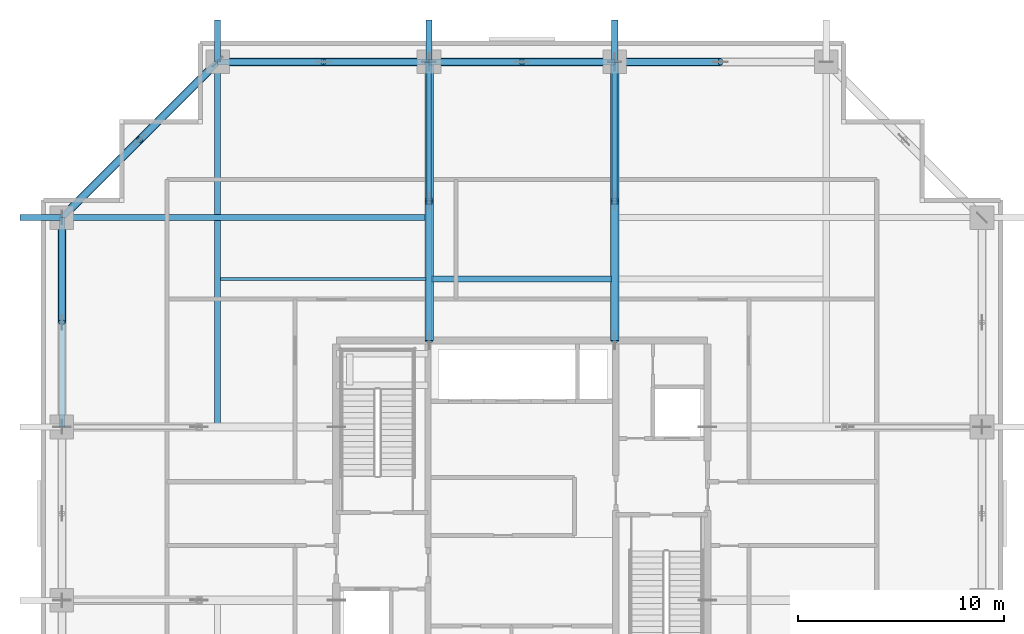
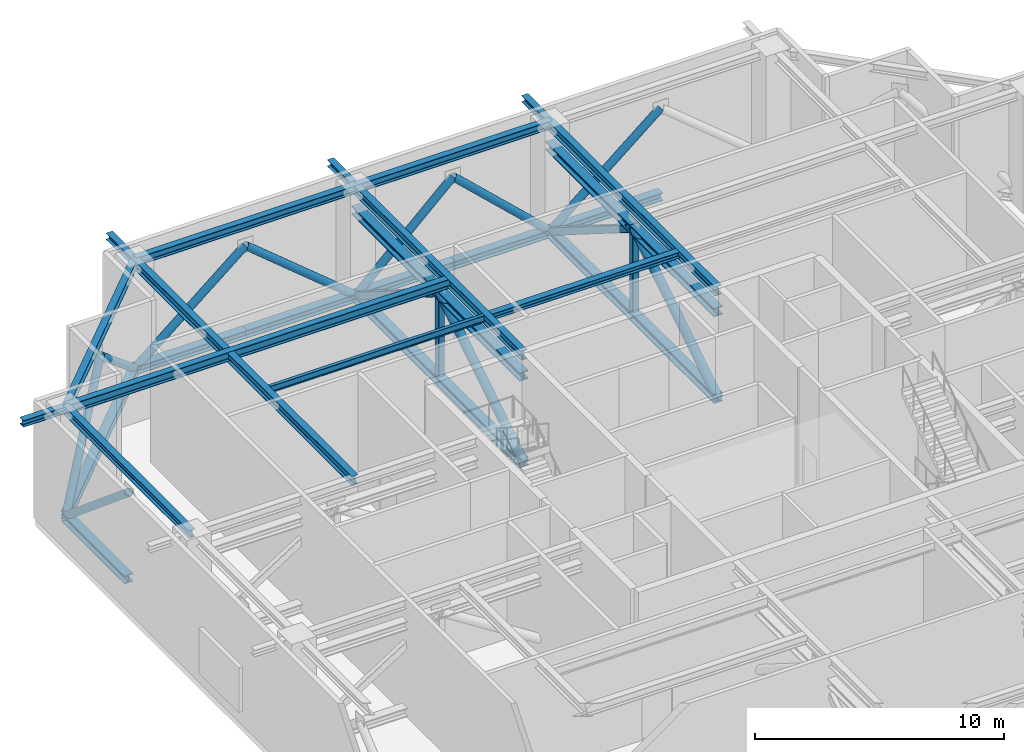
# One storey, part 5 of 22: 30 members, 14 beams.
"""IFC4 building model written with IfcOpenShell, lengths in metres."""

from ifc_helpers import new_model, si_unit, direction, frame, origin, origin_2d, place, context, subcontext, project, spatial, hollow_rectangle, hollow_circle, i_section, extrude, source, transform, mapped, material, material_profile, profile_set, type_object, element, save


model = new_model("IFC4")

# Units and contexts
model_context = context("Model", 3, precision=1e-05, world=origin(), true_north=direction((0.0, 1.0)))
body_context = subcontext(model_context, "Body", "Model", "MODEL_VIEW")
ifc_project = project(units=[si_unit("LENGTHUNIT", "METRE"), si_unit("AREAUNIT", "SQUARE_METRE"), si_unit("VOLUMEUNIT", "CUBIC_METRE"), si_unit("PLANEANGLEUNIT", "RADIAN"), si_unit("MASSUNIT", "GRAM", prefix="KILO")], contexts=[model_context])

# Site, building, storey
site_placement = place(None, origin())
site = spatial("IfcSite", under=ifc_project, at=site_placement, CompositionType="ELEMENT")
building_placement = place(site_placement, origin())
building = spatial("IfcBuilding", under=site, at=building_placement, Name="Serunith Strait Residences", CompositionType="ELEMENT")
storey_placement = place(building_placement, frame((0.0, 0.0, 287.449951171875)))
storey = spatial("IfcBuildingStorey", under=building, at=storey_placement, Name="L72", CompositionType="ELEMENT", Elevation=287.449951171875)

# Beams
ifc_material_1 = material(Name="Steel S355J2", Category="steel")
ifc_material_profile_1 = material_profile(ifc_material_1, i_section(OverallWidth=0.300048828125, OverallDepth=0.300048828125, WebThickness=0.010986328125, FlangeThickness=0.01904296875, FilletRadius=0.027099609375, at=origin_2d()), Name="HEB 300")
ifc_profile_set_1 = profile_set([ifc_material_profile_1], Name="Steel S355J2")
beam_type_1 = type_object("IfcBeamType", Name="BM-HEB300", PredefinedType="JOIST", material=ifc_profile_set_1)
shared_shape_1 = source(origin(), body_context, "Body", "SweptSolid", [
    extrude(i_section(OverallWidth=0.300048828125, OverallDepth=0.300048828125, WebThickness=0.010986328125, FlangeThickness=0.01904296875, FilletRadius=0.027099609375, at=origin_2d()), origin(), (0.0, 0.0, 1.0), 8.699951171875),
])
beam_1_placement = place(storey_placement, frame((28.050048828125, 36.574951171875, 5.587158203125), z_axis=(1.0, 0.0, 0.0), x_axis=(0.0, 1.0, 0.0)))
element("IfcBeam", 1, at=beam_1_placement, inside=storey, type_object=beam_type_1, Name="L72 Composite Floor Joist 05", PredefinedType="JOIST", context=body_context, shape_type="MappedRepresentation", body=[
    mapped(shared_shape_1, transform((0.0, 0.0, 0.0), scale=1.0)),
])
ifc_material_profile_2 = material_profile(ifc_material_1, i_section(OverallWidth=0.300048828125, OverallDepth=0.39990234375, WebThickness=0.013427734375, FlangeThickness=0.02392578125, FilletRadius=0.027099609375, at=origin_2d()), Name="HEB 400")
ifc_profile_set_2 = profile_set([ifc_material_profile_2], Name="Steel S355J2")
beam_type_2 = type_object("IfcBeamType", Name="BM-HEB400", PredefinedType="BEAM", material=ifc_profile_set_2)
shared_shape_2 = source(origin(), body_context, "Body", "SweptSolid", [
    extrude(i_section(OverallWidth=0.300048828125, OverallDepth=0.39990234375, WebThickness=0.013427734375, FlangeThickness=0.02392578125, FilletRadius=0.027099609375, at=origin_2d()), origin(), (0.0, 0.0, 1.0), 9.0),
])
beam_2_placement = place(storey_placement, frame((36.89990234375, 47.10009765625, 5.537109375), z_axis=(-1.0, 0.0, 0.0), x_axis=(0.0, -1.0, 0.0)))
element("IfcBeam", 2, at=beam_2_placement, inside=storey, type_object=beam_type_2, Name="L72 Perimeter Ring Beam 10", PredefinedType="BEAM", context=body_context, shape_type="MappedRepresentation", body=[
    mapped(shared_shape_2, transform((0.0, 0.0, 0.0), scale=1.0)),
])
ifc_material_profile_3 = material_profile(ifc_material_1, i_section(OverallWidth=0.300048828125, OverallDepth=0.320068359375, WebThickness=0.011474609375, FlangeThickness=0.0205078125, FilletRadius=0.027099609375, at=origin_2d()), Name="HEB 320")
ifc_profile_set_3 = profile_set([ifc_material_profile_3], Name="Steel S355J2")
beam_type_3 = type_object("IfcBeamType", Name="BM-HEB320", PredefinedType="BEAM", material=ifc_profile_set_3)
shared_shape_3 = source(origin(), body_context, "Body", "SweptSolid", [
    extrude(i_section(OverallWidth=0.300048828125, OverallDepth=0.320068359375, WebThickness=0.011474609375, FlangeThickness=0.0205078125, FilletRadius=0.027099609375, at=origin_2d()), origin(), (0.0, 0.0, 1.0), 2.030029296875),
])
beam_3_placement = place(storey_placement, frame((10.10009765625, 39.550048828125, 5.547119140625), z_axis=(-1.0, 0.0, 0.0), x_axis=(0.0, -1.0, 0.0)))
element("IfcBeam", 3, at=beam_3_placement, inside=storey, type_object=beam_type_3, Name="L73 Cantilevered Balcony Rib TC-W4", PredefinedType="BEAM", context=body_context, shape_type="MappedRepresentation", body=[
    mapped(shared_shape_3, transform((0.0, 0.0, 0.0), scale=1.0)),
])
ifc_material_profile_4 = material_profile(ifc_material_1, i_section(OverallWidth=0.300048828125, OverallDepth=0.449951171875, WebThickness=0.013916015625, FlangeThickness=0.02587890625, FilletRadius=0.027099609375, at=origin_2d()), Name="HEB 450")
ifc_profile_set_4 = profile_set([ifc_material_profile_4], Name="Steel S355J2")
beam_type_4 = type_object("IfcBeamType", Name="BM-HEB450", PredefinedType="BEAM", material=ifc_profile_set_4)
shared_shape_4 = source(origin(), body_context, "Body", "SweptSolid", [
    extrude(i_section(OverallWidth=0.300048828125, OverallDepth=0.449951171875, WebThickness=0.013916015625, FlangeThickness=0.02587890625, FilletRadius=0.027099609375, at=origin_2d()), origin(), (0.0, 0.0, 1.0), 13.5),
])
for number, where, z_axis, x_axis, name in (
    (4, (27.89990234375, 33.60009765625, 5.511962890625), (0.0, 1.0, 0.0), (-1.0, 0.0, 0.0), "L72 Primary Floor Girder TC-N2"),
    (5, (36.89990234375, 33.60009765625, 5.511962890625), (0.0, 1.0, 0.0), (-1.0, 0.0, 0.0), "L72 Primary Floor Girder TC-N3"),
):
    element("IfcBeam", number, at=place(storey_placement, frame(where, z_axis=z_axis, x_axis=x_axis)), inside=storey, type_object=beam_type_4, Name=name, PredefinedType="BEAM", context=body_context, shape_type="MappedRepresentation", body=[
        mapped(shared_shape_4, transform((0.0, 0.0, 0.0), scale=1.0)),
    ])
shared_shape_5 = source(origin(), body_context, "Body", "SweptSolid", [
    extrude(i_section(OverallWidth=0.300048828125, OverallDepth=0.449951171875, WebThickness=0.013916015625, FlangeThickness=0.02587890625, FilletRadius=0.027099609375, at=origin_2d()), origin(), (0.0, 0.0, 1.0), 17.7001953125),
])
beam_4_placement = place(storey_placement, frame((17.64990234375, 29.39990234375, 5.511962890625), z_axis=(0.0, 1.0, 0.0), x_axis=(-1.0, 0.0, 0.0)))
element("IfcBeam", 6, at=beam_4_placement, inside=storey, type_object=beam_type_4, Name="L72 Orthogonal Corner Girder TC-N1", PredefinedType="BEAM", context=body_context, shape_type="MappedRepresentation", body=[
    mapped(shared_shape_5, transform((0.0, 0.0, 0.0), scale=1.0)),
])
shared_shape_6 = source(origin(), body_context, "Body", "SweptSolid", [
    extrude(i_section(OverallWidth=0.300048828125, OverallDepth=0.449951171875, WebThickness=0.013916015625, FlangeThickness=0.02587890625, FilletRadius=0.027099609375, at=origin_2d()), origin(), (0.0, 0.0, 1.0), 17.7998046875),
])
beam_5_placement = place(storey_placement, frame((27.89990234375, 39.550048828125, 5.511962890625), z_axis=(-1.0, 0.0, 0.0), x_axis=(0.0, -1.0, 0.0)))
element("IfcBeam", 7, at=beam_5_placement, inside=storey, type_object=beam_type_4, Name="L72 Orthogonal Corner Girder TC-W4", PredefinedType="BEAM", context=body_context, shape_type="MappedRepresentation", body=[
    mapped(shared_shape_6, transform((0.0, 0.0, 0.0), scale=1.0)),
])
shared_shape_7 = source(origin(), body_context, "Body", "SweptSolid", [
    extrude(i_section(OverallWidth=0.300048828125, OverallDepth=0.39990234375, WebThickness=0.013427734375, FlangeThickness=0.02392578125, FilletRadius=0.027099609375, at=origin_2d()), origin(), (0.0, 0.0, 1.0), 10.25),
])
beam_6_placement = place(storey_placement, frame((27.89990234375, 47.10009765625, 5.537109375), z_axis=(-1.0, 0.0, 0.0), x_axis=(0.0, -1.0, 0.0)))
element("IfcBeam", 8, at=beam_6_placement, inside=storey, type_object=beam_type_2, Name="L72 Perimeter Ring Beam 11", PredefinedType="BEAM", context=body_context, shape_type="MappedRepresentation", body=[
    mapped(shared_shape_7, transform((0.0, 0.0, 0.0), scale=1.0)),
])
shared_shape_8 = source(origin(), body_context, "Body", "SweptSolid", [
    extrude(i_section(OverallWidth=0.300048828125, OverallDepth=0.39990234375, WebThickness=0.013427734375, FlangeThickness=0.02392578125, FilletRadius=0.027099609375, at=origin_2d()), origin(), (0.0, 0.0, 1.0), 10.150146484375),
])
beam_7_placement = place(storey_placement, frame((10.10009765625, 39.550048828125, 5.537109375), z_axis=(0.0, -1.0, 0.0), x_axis=(1.0, 0.0, 0.0)))
element("IfcBeam", 9, at=beam_7_placement, inside=storey, type_object=beam_type_2, Name="L72 Perimeter Ring Beam 13", PredefinedType="BEAM", context=body_context, shape_type="MappedRepresentation", body=[
    mapped(shared_shape_8, transform((0.0, 0.0, 0.0), scale=1.0)),
])
shared_shape_9 = source(origin(), body_context, "Body", "SweptSolid", [
    extrude(i_section(OverallWidth=0.300048828125, OverallDepth=0.39990234375, WebThickness=0.013427734375, FlangeThickness=0.02392578125, FilletRadius=0.027099609375, at=origin_2d()), origin(), (0.0, 0.0, 1.0), 10.67724609375),
])
beam_8_placement = place(storey_placement, frame((17.64990234375, 47.10009765625, 5.507080078125), z_axis=(-0.707095348302, -0.707118213887, 0.0), x_axis=(0.707118213887, -0.707095348302, 0.0)))
element("IfcBeam", 10, at=beam_8_placement, inside=storey, type_object=beam_type_2, Name="L72 Perimeter Ring Beam 12", PredefinedType="BEAM", context=body_context, shape_type="MappedRepresentation", body=[
    mapped(shared_shape_9, transform((0.0, 0.0, 0.0), scale=1.0)),
])
ifc_material_profile_5 = material_profile(ifc_material_1, i_section(OverallWidth=0.159912109375, OverallDepth=0.330078125, WebThickness=0.007568359375, FlangeThickness=0.011474609375, FilletRadius=0.01806640625, at=origin_2d()), Name="IPE 330")
ifc_profile_set_5 = profile_set([ifc_material_profile_5], Name="Steel S355J2")
beam_type_5 = type_object("IfcBeamType", Name="BM-IPE330", PredefinedType="JOIST", material=ifc_profile_set_5)
shared_shape_10 = source(origin(), body_context, "Body", "SweptSolid", [
    extrude(i_section(OverallWidth=0.159912109375, OverallDepth=0.330078125, WebThickness=0.007568359375, FlangeThickness=0.011474609375, FilletRadius=0.01806640625, at=origin_2d()), origin(), (0.0, 0.0, 1.0), 9.949951171875),
])
beam_9_placement = place(storey_placement, frame((17.800048828125, 36.574951171875, 5.572021484375), z_axis=(1.0, 0.0, 0.0), x_axis=(0.0, 1.0, 0.0)))
element("IfcBeam", 11, at=beam_9_placement, inside=storey, type_object=beam_type_5, Name="L72 Composite Floor Joist 04", PredefinedType="JOIST", context=body_context, shape_type="MappedRepresentation", body=[
    mapped(shared_shape_10, transform((0.0, 0.0, 0.0), scale=1.0)),
])
shared_shape_11 = source(origin(), body_context, "Body", "SweptSolid", [
    extrude(i_section(OverallWidth=0.300048828125, OverallDepth=0.320068359375, WebThickness=0.011474609375, FlangeThickness=0.0205078125, FilletRadius=0.027099609375, at=origin_2d()), origin(), (0.0, 0.0, 1.0), 2.02978515625),
])
for number, where, z_axis, x_axis, name in (
    (12, (17.64990234375, 47.10009765625, 5.547119140625), (0.0, 1.0, 0.0), (-1.0, 0.0, 0.0), "L73 Cantilevered Balcony Rib TC-N1"),
    (13, (27.89990234375, 47.10009765625, 5.547119140625), (0.0, 1.0, 0.0), (-1.0, 0.0, 0.0), "L73 Cantilevered Balcony Rib TC-N2"),
    (14, (36.89990234375, 47.10009765625, 5.547119140625), (0.0, 1.0, 0.0), (-1.0, 0.0, 0.0), "L73 Cantilevered Balcony Rib TC-N3"),
):
    element("IfcBeam", number, at=place(storey_placement, frame(where, z_axis=z_axis, x_axis=x_axis)), inside=storey, type_object=beam_type_3, Name=name, PredefinedType="BEAM", context=body_context, shape_type="MappedRepresentation", body=[
        mapped(shared_shape_11, transform((0.0, 0.0, 0.0), scale=1.0)),
    ])

# Members
ifc_material_2 = material(Name="Steel S460M", Category="steel")
ifc_material_profile_6 = material_profile(ifc_material_2, i_section(OverallWidth=0.406005859375, OverallDepth=0.416015625, WebThickness=0.02978515625, FlangeThickness=0.048095703125, FilletRadius=0.014892578125, at=origin_2d()), Name="HD 400x382")
ifc_profile_set_6 = profile_set([ifc_material_profile_6], Name="Steel S460M")
member_type_1 = type_object("IfcMemberType", Name="MBR-CHORD-HD382", PredefinedType="CHORD", material=ifc_profile_set_6)
shared_shape_12 = source(origin(), body_context, "Body", "SweptSolid", [
    extrude(i_section(OverallWidth=0.406005859375, OverallDepth=0.416015625, WebThickness=0.02978515625, FlangeThickness=0.048095703125, FilletRadius=0.014892578125, at=origin_2d()), origin(), (0.0, 0.0, 1.0), 6.75),
])
for number, where, z_axis, x_axis, name in (
    (15, (27.89990234375, 33.60009765625, 0.25), (0.0, 1.0, 0.0), (-1.0, 0.0, 0.0), "L72 Outrigger Arm 3 Bottom Chord 1"),
    (16, (27.89990234375, 33.60009765625, 4.489990234375), (0.0, 1.0, 0.0), (-1.0, 0.0, 0.0), "L72 Outrigger Arm 3 Top Chord 1"),
    (17, (27.89990234375, 40.35009765625, 0.25), (0.0, 1.0, 0.0), (-1.0, 0.0, 0.0), "L72 Outrigger Arm 3 Bottom Chord 2"),
    (18, (27.89990234375, 40.35009765625, 4.489990234375), (0.0, 1.0, 0.0), (-1.0, 0.0, 0.0), "L72 Outrigger Arm 3 Top Chord 2"),
    (19, (36.89990234375, 33.60009765625, 0.25), (0.0, 1.0, 0.0), (-1.0, 0.0, 0.0), "L72 Outrigger Arm 4 Bottom Chord 1"),
    (20, (36.89990234375, 33.60009765625, 4.489990234375), (0.0, 1.0, 0.0), (-1.0, 0.0, 0.0), "L72 Outrigger Arm 4 Top Chord 1"),
    (21, (36.89990234375, 40.35009765625, 0.25), (0.0, 1.0, 0.0), (-1.0, 0.0, 0.0), "L72 Outrigger Arm 4 Bottom Chord 2"),
    (22, (36.89990234375, 40.35009765625, 4.489990234375), (0.0, 1.0, 0.0), (-1.0, 0.0, 0.0), "L72 Outrigger Arm 4 Top Chord 2"),
):
    element("IfcMember", number, at=place(storey_placement, frame(where, z_axis=z_axis, x_axis=x_axis)), inside=storey, type_object=member_type_1, Name=name, PredefinedType="CHORD", context=body_context, shape_type="MappedRepresentation", body=[
        mapped(shared_shape_12, transform((0.0, 0.0, 0.0), scale=1.0)),
    ])
ifc_material_profile_7 = material_profile(ifc_material_2, hollow_rectangle(XDim=0.300048828125, YDim=0.300048828125, WallThickness=0.012451171875, InnerFilletRadius=0.018798828125, OuterFilletRadius=0.03125, at=origin_2d()), Name="SHS 300x300x12.5")
ifc_profile_set_7 = profile_set([ifc_material_profile_7], Name="Steel S460M")
member_type_2 = type_object("IfcMemberType", Name="MBR-STRUT-SHS300", PredefinedType="STRUT", material=ifc_profile_set_7)
shared_shape_13 = source(origin(), body_context, "Body", "SweptSolid", [
    extrude(hollow_rectangle(XDim=0.300048828125, YDim=0.300048828125, WallThickness=0.012451171875, InnerFilletRadius=0.018798828125, OuterFilletRadius=0.03125, at=origin_2d()), origin(), (0.0, 0.0, 1.0), 4.239990234375),
])
for number, where, z_axis, x_axis, name in (
    (23, (27.89990234375, 40.35009765625, 0.25), (0.0, 0.0, 1.0), (1.0, 0.0, 0.0), "L72 Outrigger Arm 3 Mid Post"),
    (24, (36.89990234375, 40.35009765625, 0.25), (0.0, 0.0, 1.0), (1.0, 0.0, 0.0), "L72 Outrigger Arm 4 Mid Post"),
):
    element("IfcMember", number, at=place(storey_placement, frame(where, z_axis=z_axis, x_axis=x_axis)), inside=storey, type_object=member_type_2, Name=name, PredefinedType="STRUT", context=body_context, shape_type="MappedRepresentation", body=[
        mapped(shared_shape_13, transform((0.0, 0.0, 0.0), scale=1.0)),
    ])
ifc_material_profile_8 = material_profile(ifc_material_2, hollow_circle(Radius=0.203125, WallThickness=0.01611328125, at=origin_2d()), Name="CHS 406.4x16")
ifc_profile_set_8 = profile_set([ifc_material_profile_8], Name="Steel S460M")
member_type_3 = type_object("IfcMemberType", Name="MBR-DIAG-CHS406", PredefinedType="BRACE", material=ifc_profile_set_8)
shared_shape_14 = source(origin(), body_context, "Body", "SweptSolid", [
    extrude(hollow_circle(Radius=0.203125, WallThickness=0.01611328125, at=origin_2d()), origin(), (0.0, 0.0, 1.0), 7.97119140625),
])
for number, where, z_axis, x_axis, name in (
    (25, (27.89990234375, 33.60009765625, 0.25), (0.0, 0.846798556152, 0.531913719788), (-1.0, 0.0, 0.0), "L72 Outrigger Arm 3 Inner Diagonal"),
    (26, (36.89990234375, 33.60009765625, 0.25), (0.0, 0.846798556152, 0.531913719788), (-1.0, 0.0, 0.0), "L72 Outrigger Arm 4 Inner Diagonal"),
):
    element("IfcMember", number, at=place(storey_placement, frame(where, z_axis=z_axis, x_axis=x_axis)), inside=storey, type_object=member_type_3, Name=name, PredefinedType="BRACE", context=body_context, shape_type="MappedRepresentation", body=[
        mapped(shared_shape_14, transform((0.0, 0.0, 0.0), scale=1.0)),
    ])
ifc_material_profile_9 = material_profile(ifc_material_2, hollow_rectangle(XDim=0.25, YDim=0.35009765625, WallThickness=0.01611328125, InnerFilletRadius=0.02392578125, OuterFilletRadius=0.0400390625, at=origin_2d()), Name="RHS 350x250x16")
ifc_profile_set_9 = profile_set([ifc_material_profile_9], Name="Steel S460M")
member_type_4 = type_object("IfcMemberType", Name="MBR-BRACE-RHS350", PredefinedType="BRACE", material=ifc_profile_set_9)
shared_shape_15 = source(origin(), body_context, "Body", "SweptSolid", [
    extrude(hollow_rectangle(XDim=0.25, YDim=0.35009765625, WallThickness=0.01611328125, InnerFilletRadius=0.02392578125, OuterFilletRadius=0.0400390625, at=origin_2d()), origin(), (0.0, 0.0, 1.0), 7.97119140625),
])
for number, where, z_axis, x_axis, name in (
    (27, (27.89990234375, 40.35009765625, 4.489990234375), (0.0, 0.846798556152, -0.531913719788), (-1.0, 0.0, 0.0), "L72 Outrigger Arm 3 Outer Diagonal"),
    (28, (36.89990234375, 40.35009765625, 4.489990234375), (0.0, 0.846798556152, -0.531913719788), (-1.0, 0.0, 0.0), "L72 Outrigger Arm 4 Outer Diagonal"),
):
    element("IfcMember", number, at=place(storey_placement, frame(where, z_axis=z_axis, x_axis=x_axis)), inside=storey, type_object=member_type_4, Name=name, PredefinedType="BRACE", context=body_context, shape_type="MappedRepresentation", body=[
        mapped(shared_shape_15, transform((0.0, 0.0, 0.0), scale=1.0)),
    ])
ifc_material_profile_10 = material_profile(ifc_material_2, i_section(OverallWidth=0.39794921875, OverallDepth=0.386962890625, WebThickness=0.02099609375, FlangeThickness=0.033203125, FilletRadius=0.014892578125, at=origin_2d()), Name="HD 400x262")
ifc_profile_set_10 = profile_set([ifc_material_profile_10], Name="Steel S460M")
member_type_5 = type_object("IfcMemberType", Name="MBR-CHORD-HD262", PredefinedType="CHORD", material=ifc_profile_set_10)
shared_shape_16 = source(origin(), body_context, "Body", "SweptSolid", [
    extrude(i_section(OverallWidth=0.39794921875, OverallDepth=0.386962890625, WebThickness=0.02099609375, FlangeThickness=0.033203125, FilletRadius=0.014892578125, at=origin_2d()), origin(), (0.0, 0.0, 1.0), 5.125),
])
for number, where, z_axis, x_axis, name in (
    (29, (42.02490234375, 47.10009765625, 0.25), (-1.0, 0.0, 0.0), (0.0, -1.0, 0.0), "L72 Belt Truss Bay 09 Chord B"),
    (30, (27.89990234375, 47.10009765625, 0.25), (-1.0, 0.0, 0.0), (0.0, -1.0, 0.0), "L72 Belt Truss Bay 11 Chord A"),
    (31, (22.77490234375, 47.10009765625, 0.25), (-1.0, 0.0, 0.0), (0.0, -1.0, 0.0), "L72 Belt Truss Bay 11 Chord B"),
):
    element("IfcMember", number, at=place(storey_placement, frame(where, z_axis=z_axis, x_axis=x_axis)), inside=storey, type_object=member_type_5, Name=name, PredefinedType="CHORD", context=body_context, shape_type="MappedRepresentation", body=[
        mapped(shared_shape_16, transform((0.0, 0.0, 0.0), scale=1.0)),
    ])
ifc_material_profile_11 = material_profile(ifc_material_1, hollow_circle(Radius=0.177734375, WallThickness=0.012451171875, at=origin_2d()), Name="CHS 355.6x12.5")
ifc_profile_set_11 = profile_set([ifc_material_profile_11], Name="Steel S355J2")
member_type_6 = type_object("IfcMemberType", Name="MBR-DIAG-CHS355", PredefinedType="BRACE", material=ifc_profile_set_11)
shared_shape_17 = source(origin(), body_context, "Body", "SweptSolid", [
    extrude(hollow_circle(Radius=0.177734375, WallThickness=0.012451171875, at=origin_2d()), origin(), (0.0, 0.0, 1.0), 6.651611328125),
])
for number, where, z_axis, x_axis, name in (
    (32, (36.89990234375, 47.10009765625, 0.25), (0.770496886362, 0.0, 0.63744376074), (0.0, 1.0, 0.0), "L72 Belt Truss Bay 09 Diagonal 2"),
    (33, (27.89990234375, 47.10009765625, 0.25), (-0.770496886362, 0.0, 0.63744376074), (0.0, -1.0, 0.0), "L72 Belt Truss Bay 11 Diagonal 1"),
    (34, (17.64990234375, 47.10009765625, 0.25), (0.770496886362, 0.0, 0.63744376074), (0.0, 1.0, 0.0), "L72 Belt Truss Bay 11 Diagonal 2"),
):
    element("IfcMember", number, at=place(storey_placement, frame(where, z_axis=z_axis, x_axis=x_axis)), inside=storey, type_object=member_type_6, Name=name, PredefinedType="BRACE", context=body_context, shape_type="MappedRepresentation", body=[
        mapped(shared_shape_17, transform((0.0, 0.0, 0.0), scale=1.0)),
    ])
shared_shape_18 = source(origin(), body_context, "Body", "SweptSolid", [
    extrude(i_section(OverallWidth=0.39794921875, OverallDepth=0.386962890625, WebThickness=0.02099609375, FlangeThickness=0.033203125, FilletRadius=0.014892578125, at=origin_2d()), origin(), (0.0, 0.0, 1.0), 4.5),
])
for number, where, z_axis, x_axis, name in (
    (35, (36.89990234375, 47.10009765625, 0.25), (-1.0, 0.0, 0.0), (0.0, -1.0, 0.0), "L72 Belt Truss Bay 10 Chord A"),
    (36, (32.39990234375, 47.10009765625, 0.25), (-1.0, 0.0, 0.0), (0.0, -1.0, 0.0), "L72 Belt Truss Bay 10 Chord B"),
):
    element("IfcMember", number, at=place(storey_placement, frame(where, z_axis=z_axis, x_axis=x_axis)), inside=storey, type_object=member_type_5, Name=name, PredefinedType="CHORD", context=body_context, shape_type="MappedRepresentation", body=[
        mapped(shared_shape_18, transform((0.0, 0.0, 0.0), scale=1.0)),
    ])
shared_shape_19 = source(origin(), body_context, "Body", "SweptSolid", [
    extrude(hollow_circle(Radius=0.177734375, WallThickness=0.012451171875, at=origin_2d()), origin(), (0.0, 0.0, 1.0), 6.182861328125),
])
for number, where, z_axis, x_axis, name in (
    (37, (36.89990234375, 47.10009765625, 0.25), (-0.727820807971, 0.0, 0.685767359594), (0.0, -1.0, 0.0), "L72 Belt Truss Bay 10 Diagonal 1"),
    (38, (27.89990234375, 47.10009765625, 0.25), (0.727820807971, 0.0, 0.685767359594), (0.0, 1.0, 0.0), "L72 Belt Truss Bay 10 Diagonal 2"),
):
    element("IfcMember", number, at=place(storey_placement, frame(where, z_axis=z_axis, x_axis=x_axis)), inside=storey, type_object=member_type_6, Name=name, PredefinedType="BRACE", context=body_context, shape_type="MappedRepresentation", body=[
        mapped(shared_shape_19, transform((0.0, 0.0, 0.0), scale=1.0)),
    ])
shared_shape_20 = source(origin(), body_context, "Body", "SweptSolid", [
    extrude(i_section(OverallWidth=0.39794921875, OverallDepth=0.386962890625, WebThickness=0.02099609375, FlangeThickness=0.033203125, FilletRadius=0.014892578125, at=origin_2d()), origin(), (0.0, 0.0, 1.0), 5.338623046875),
])
for number, where, z_axis, x_axis, name in (
    (39, (17.64990234375, 47.10009765625, 0.25), (-0.707083915602, -0.707129646032, 0.0), (0.707129646032, -0.707083915602, 0.0), "L72 Belt Truss Bay 12 Chord A"),
    (40, (13.875, 43.324951171875, 0.25), (-0.707106781187, -0.707106781187, 0.0), (0.707106781187, -0.707106781187, 0.0), "L72 Belt Truss Bay 12 Chord B"),
):
    element("IfcMember", number, at=place(storey_placement, frame(where, z_axis=z_axis, x_axis=x_axis)), inside=storey, type_object=member_type_5, Name=name, PredefinedType="CHORD", context=body_context, shape_type="MappedRepresentation", body=[
        mapped(shared_shape_20, transform((0.0, 0.0, 0.0), scale=1.0)),
    ])
shared_shape_21 = source(origin(), body_context, "Body", "SweptSolid", [
    extrude(hollow_circle(Radius=0.177734375, WallThickness=0.012451171875, at=origin_2d()), origin(), (0.0, 0.0, 1.0), 6.817626953125),
])
member_1_placement = place(storey_placement, frame((17.64990234375, 47.10009765625, 0.25), z_axis=(-0.553702772847, -0.5537385834, 0.621921876602), x_axis=(0.707129646032, -0.707083915602, 0.0)))
element("IfcMember", 41, at=member_1_placement, inside=storey, type_object=member_type_6, Name="L72 Belt Truss Bay 12 Diagonal 1", PredefinedType="BRACE", context=body_context, shape_type="MappedRepresentation", body=[
    mapped(shared_shape_21, transform((0.0, 0.0, 0.0), scale=1.0)),
])
shared_shape_22 = source(origin(), body_context, "Body", "SweptSolid", [
    extrude(i_section(OverallWidth=0.39794921875, OverallDepth=0.386962890625, WebThickness=0.02099609375, FlangeThickness=0.033203125, FilletRadius=0.014892578125, at=origin_2d()), origin(), (0.0, 0.0, 1.0), 5.074951171875),
])
member_2_placement = place(storey_placement, frame((10.10009765625, 39.550048828125, 0.25), z_axis=(0.0, -1.0, 0.0), x_axis=(1.0, 0.0, 0.0)))
element("IfcMember", 42, at=member_2_placement, inside=storey, type_object=member_type_5, Name="L72 Belt Truss Bay 13 Chord A", PredefinedType="CHORD", context=body_context, shape_type="MappedRepresentation", body=[
    mapped(shared_shape_22, transform((0.0, 0.0, 0.0), scale=1.0)),
])
shared_shape_23 = source(origin(), body_context, "Body", "SweptSolid", [
    extrude(hollow_circle(Radius=0.177734375, WallThickness=0.012451171875, at=origin_2d()), origin(), (0.0, 0.0, 1.0), 6.613037109375),
])
member_3_placement = place(storey_placement, frame((10.10009765625, 39.550048828125, 0.25), z_axis=(0.0, -0.767412710118, 0.641153439006), x_axis=(1.0, 0.0, 0.0)))
element("IfcMember", 43, at=member_3_placement, inside=storey, type_object=member_type_6, Name="L72 Belt Truss Bay 13 Diagonal 1", PredefinedType="BRACE", context=body_context, shape_type="MappedRepresentation", body=[
    mapped(shared_shape_23, transform((0.0, 0.0, 0.0), scale=1.0)),
])
shared_shape_24 = source(origin(), body_context, "Body", "SweptSolid", [
    extrude(hollow_circle(Radius=0.177734375, WallThickness=0.012451171875, at=origin_2d()), origin(), (0.0, 0.0, 1.0), 6.8173828125),
])
member_4_placement = place(storey_placement, frame((10.10009765625, 39.550048828125, 0.25), z_axis=(0.55371375257, 0.55371375257, 0.621934209085), x_axis=(-0.707106781187, 0.707106781187, 0.0)))
element("IfcMember", 44, at=member_4_placement, inside=storey, type_object=member_type_6, Name="L72 Belt Truss Bay 12 Diagonal 2", PredefinedType="BRACE", context=body_context, shape_type="MappedRepresentation", body=[
    mapped(shared_shape_24, transform((0.0, 0.0, 0.0), scale=1.0)),
])

save(model, "model.ifc")
